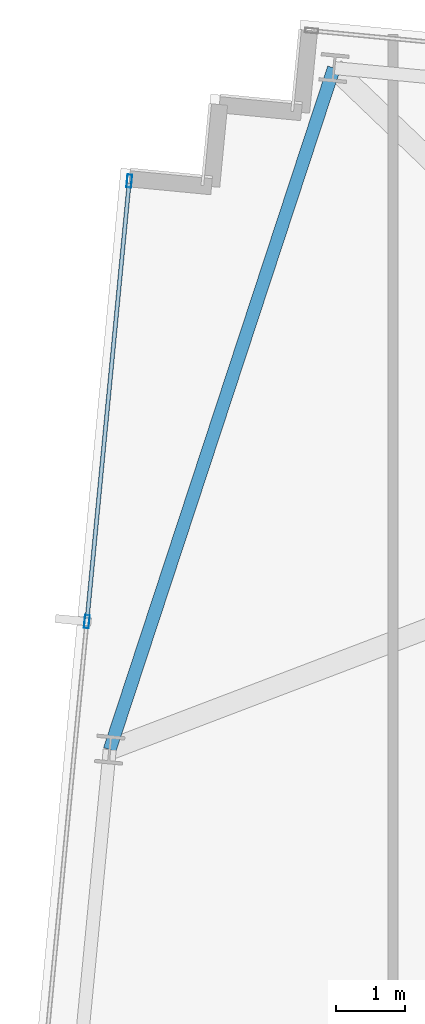
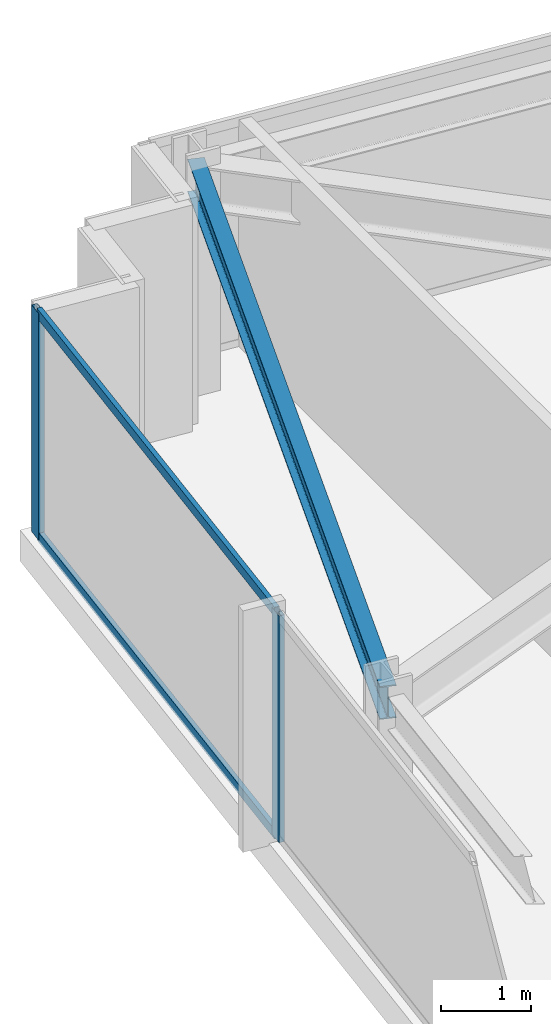
# One storey, part 21 of 37: 4 members, 1 beam, 1 element without a shape of its own.
"""IFC4 building model written with IfcOpenShell, lengths in metres."""

from ifc_helpers import new_model, si_unit, direction, frame, origin, origin_2d, place, context, subcontext, project, spatial, hollow_rectangle, i_section, extrude, material, material_profile, profile_set, type_object, element, aggregate, save


model = new_model("IFC4")

# Units and contexts
model_context = context("Model", 3, precision=1e-05, world=origin(), true_north=direction((0.0, 1.0)))
body_context = subcontext(model_context, "Body", "Model", "MODEL_VIEW")
ifc_project = project(units=[si_unit("LENGTHUNIT", "METRE"), si_unit("AREAUNIT", "SQUARE_METRE"), si_unit("VOLUMEUNIT", "CUBIC_METRE"), si_unit("PLANEANGLEUNIT", "RADIAN"), si_unit("MASSUNIT", "GRAM", prefix="KILO")], contexts=[model_context])

# Site, building, storey
site_placement = place(None, origin())
site = spatial("IfcSite", under=ifc_project, at=site_placement, CompositionType="ELEMENT")
building_placement = place(site_placement, origin())
building = spatial("IfcBuilding", under=site, at=building_placement, Name="Yelkora Congress Tower", CompositionType="ELEMENT")
storey_placement = place(building_placement, frame((0.0, 0.0, 149.0)))
storey = spatial("IfcBuildingStorey", under=building, at=storey_placement, Name="L40", CompositionType="ELEMENT", Elevation=149.0)

# Beam
ifc_material_1 = material(Name="Steel S355J2", Category="steel")
ifc_material_profile_1 = material_profile(ifc_material_1, i_section(OverallWidth=0.18994140625, OverallDepth=0.449951171875, WebThickness=0.009521484375, FlangeThickness=0.0146484375, FilletRadius=0.02099609375, at=origin_2d()), Name="IPE 450")
ifc_profile_set_1 = profile_set([ifc_material_profile_1], Name="Steel S355J2")
beam_type = type_object("IfcBeamType", Name="BM-SPAN-IPE450", PredefinedType="SPANDREL", material=ifc_profile_set_1)
beam_placement = place(storey_placement, frame((7.388916015625, 50.390625, 2.85498046875), z_axis=(-0.312456737339, -0.949931990877, 0.0), x_axis=(0.949931990877, -0.312456737339, 0.0)))
element("IfcBeam", 1, at=beam_placement, inside=storey, type_object=beam_type, Name="L40 Perimeter Beam 16", PredefinedType="SPANDREL", context=body_context, shape_type="SweptSolid", body=[
    extrude(i_section(OverallWidth=0.18994140625, OverallDepth=0.449951171875, WebThickness=0.009521484375, FlangeThickness=0.0146484375, FilletRadius=0.02099609375, at=origin_2d()), origin(), (0.0, 0.0, 1.0), 10.4560546875),
])

# Curtain wall, members
ifc_material_2 = material(Name="Anodised aluminium and insulated glass", Category="aluminium")
curtain_wall_type = type_object("IfcCurtainWallType", Name="CW-SYS-B3", PredefinedType="NOTDEFINED", material=ifc_material_2)
curtain_wall_placement = place(storey_placement, origin())
curtain_wall = element("IfcCurtainWall", 2, at=curtain_wall_placement, inside=storey, type_object=curtain_wall_type, Name="L40 Unitised Curtain Wall 5", PredefinedType="NOTDEFINED")
ifc_material_3 = material(Name="Anodised aluminium 6063-T6", Category="aluminium")
ifc_material_profile_2 = material_profile(ifc_material_3, hollow_rectangle(XDim=0.070068359375, YDim=0.18994140625, WallThickness=0.00390625, at=origin_2d()), Name="ALU 70x190x4")
ifc_profile_set_2 = profile_set([ifc_material_profile_2], Name="Anodised aluminium 6063-T6")
member_type_1 = type_object("IfcMemberType", Name="MEM-ML-B3", PredefinedType="MULLION", material=ifc_profile_set_2)
member_1_placement = place(storey_placement, frame((3.7890625, 42.324462890625, 0.0), z_axis=(0.0, 0.0, 1.0), x_axis=(-0.995396242473, 0.095845294465, 0.0)))
member_1 = element("IfcMember", 3, at=member_1_placement, type_object=member_type_1, Name="CW-B3 mullion 5", PredefinedType="MULLION", context=body_context, shape_type="SweptSolid", body=[
    extrude(hollow_rectangle(XDim=0.070068359375, YDim=0.18994140625, WallThickness=0.00390625, at=origin_2d()), origin(), (0.0, 0.0, 1.0), 3.080078125),
])
member_2_placement = place(storey_placement, frame((4.4072265625, 48.74365234375, 0.0), z_axis=(0.0, 0.0, 1.0), x_axis=(-0.995396242473, 0.095845294465, 0.0)))
member_2 = element("IfcMember", 4, at=member_2_placement, type_object=member_type_1, Name="CW-B3 mullion 6", PredefinedType="MULLION", context=body_context, shape_type="SweptSolid", body=[
    extrude(hollow_rectangle(XDim=0.070068359375, YDim=0.18994140625, WallThickness=0.00390625, at=origin_2d()), origin(), (0.0, 0.0, 1.0), 3.080078125),
])
ifc_material_profile_3 = material_profile(ifc_material_3, hollow_rectangle(XDim=0.06005859375, YDim=0.1298828125, WallThickness=0.00390625, at=origin_2d()), Name="ALU 60x130x4")
ifc_profile_set_3 = profile_set([ifc_material_profile_3], Name="Anodised aluminium 6063-T6")
member_type_2 = type_object("IfcMemberType", Name="MEM-TR-B3", PredefinedType="USERDEFINED", material=ifc_profile_set_3)
member_3_placement = place(storey_placement, frame((3.79248046875, 42.359375, 0.030029296875), z_axis=(0.095834923543, 0.99539724102, 0.0), x_axis=(-0.99539724102, 0.095834923543, 0.0)))
member_3 = element("IfcMember", 5, at=member_3_placement, type_object=member_type_2, Name="CW-B3 transom 5.1", ObjectType="TRANSOM", PredefinedType="USERDEFINED", context=body_context, shape_type="SweptSolid", body=[
    extrude(hollow_rectangle(XDim=0.06005859375, YDim=0.1298828125, WallThickness=0.00390625, at=origin_2d()), origin(), (0.0, 0.0, 1.0), 6.37890625),
])
member_4_placement = place(storey_placement, frame((3.79248046875, 42.359375, 3.050048828125), z_axis=(0.095834923543, 0.99539724102, 0.0), x_axis=(-0.99539724102, 0.095834923543, 0.0)))
member_4 = element("IfcMember", 6, at=member_4_placement, type_object=member_type_2, Name="CW-B3 transom 5.2", ObjectType="TRANSOM", PredefinedType="USERDEFINED", context=body_context, shape_type="SweptSolid", body=[
    extrude(hollow_rectangle(XDim=0.06005859375, YDim=0.1298828125, WallThickness=0.00390625, at=origin_2d()), origin(), (0.0, 0.0, 1.0), 6.37890625),
])
aggregate(curtain_wall, [member_1, member_2, member_3, member_4])

save(model, "model.ifc")
